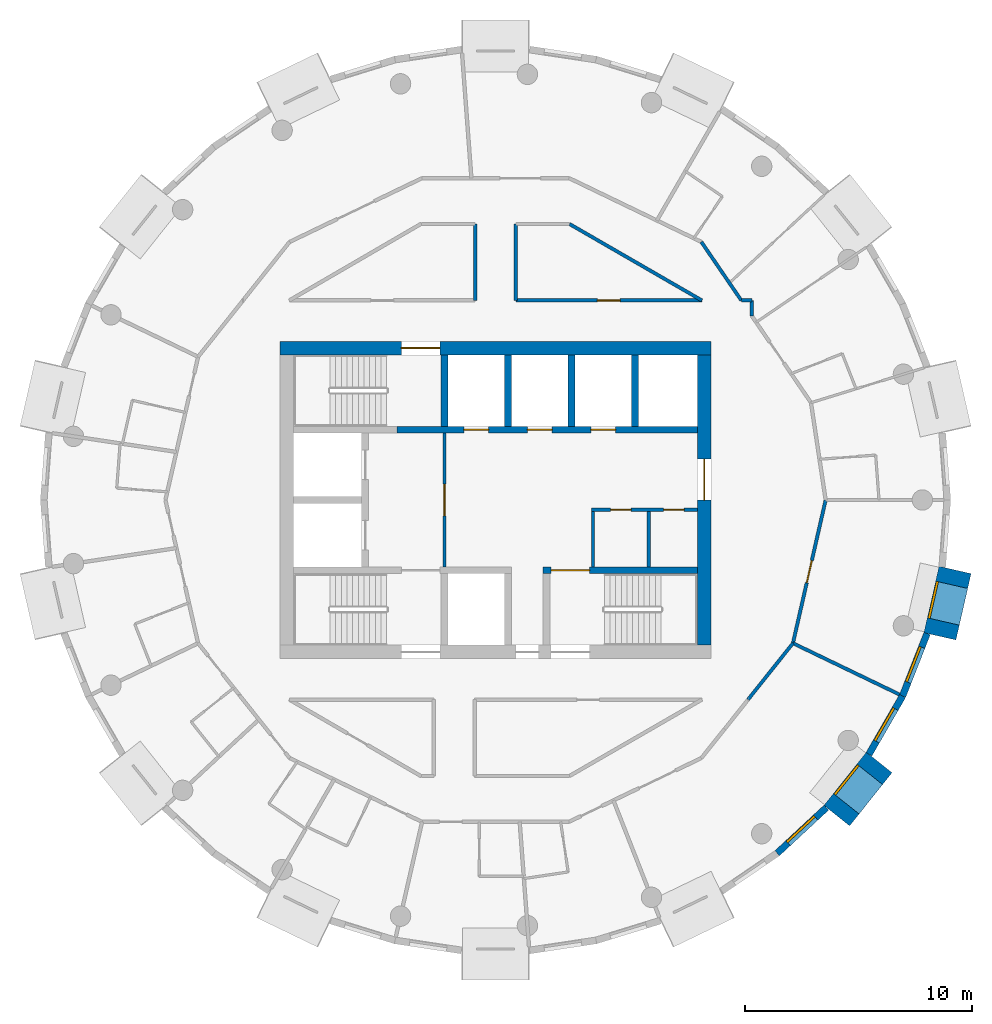
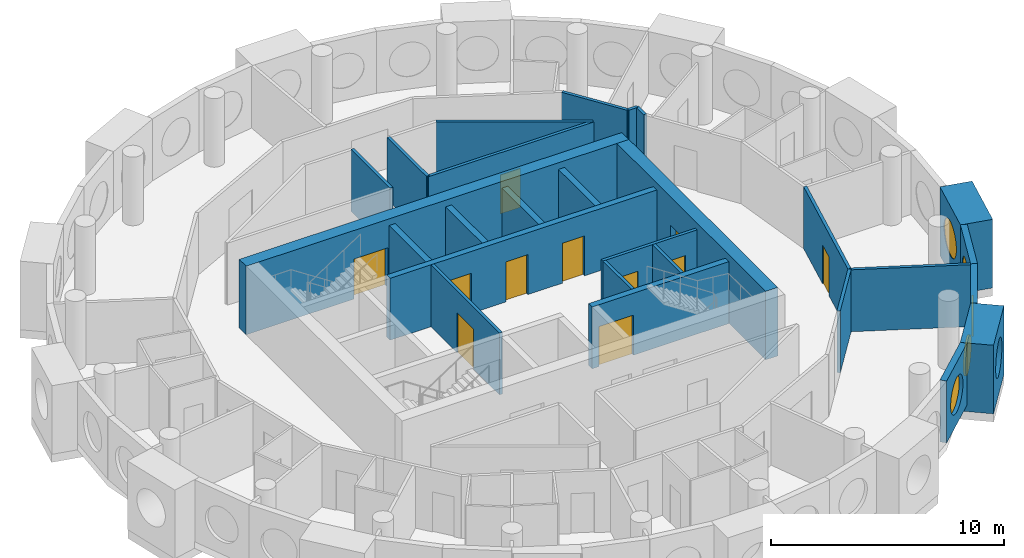
# One storey, part 8 of 12: 27 walls, 11 doors, 5 windows, 16 openings.
"""IFC4 building model written with IfcOpenShell, lengths in metres."""

from ifc_helpers import new_model, si_unit, direction, frame, frame_2d, origin, origin_2d, place, context, subcontext, project, spatial, rectangle, circle, extrude, material, layer, layer_set, type_object, element, fill, save


model = new_model("IFC4")

# Units and contexts
model_context = context("Model", 3, precision=1e-05, world=origin(), true_north=direction((0.0, 1.0)))
body_context = subcontext(model_context, "Body", "Model", "MODEL_VIEW")
ifc_project = project(units=[si_unit("LENGTHUNIT", "METRE"), si_unit("AREAUNIT", "SQUARE_METRE"), si_unit("VOLUMEUNIT", "CUBIC_METRE"), si_unit("PLANEANGLEUNIT", "RADIAN"), si_unit("MASSUNIT", "GRAM", prefix="KILO")], contexts=[model_context])

# Site, building, storey
site_placement = place(None, origin())
site = spatial("IfcSite", under=ifc_project, at=site_placement, CompositionType="ELEMENT")
building_placement = place(site_placement, origin())
building = spatial("IfcBuilding", under=site, at=building_placement, Name="Tracery Tower", CompositionType="ELEMENT")
storey_placement = place(building_placement, frame((0.0, 0.0, 283.800048828125)))
storey = spatial("IfcBuildingStorey", under=building, at=storey_placement, Name="L73", CompositionType="ELEMENT", Elevation=283.800048828125)

# Wall, opening, door
ifc_material_1 = material(Name="Plasterboard on steel studs", Category="steel")
ifc_layer_1 = layer(ifc_material_1, 0.14990234375)
ifc_layer_set_1 = layer_set([ifc_layer_1], Name="Core lobby partition 150")
wall_type_1 = type_object("IfcWallType", Name="Core lobby partition 150", PredefinedType="SOLIDWALL", material=ifc_layer_set_1)
wall_1_placement = place(storey_placement, frame((-2.25, -2.949951171875, 0.0), z_axis=(0.0, 0.0, 1.0), x_axis=(0.0, 1.0, 0.0)))
wall_1 = element("IfcWall", 1, at=wall_1_placement, inside=storey, type_object=wall_type_1, Name="L73 FF lobby E", PredefinedType="SOLIDWALL", context=body_context, shape_type="SweptSolid", body=[
    extrude(rectangle(XDim=5.89990234375, YDim=0.14990234375, at=frame_2d((2.949951171875, 0.0))), origin(), (0.0, 0.0, 1.0), 3.25),
])
opening_1_placement = place(wall_1_placement, frame((2.25, 0.0, 0.0)))
opening_1 = element("IfcOpeningElement", 2, at=opening_1_placement, cuts=wall_1, Name="Opening KD8", PredefinedType="OPENING", context=body_context, shape_type="SweptSolid", body=[
    extrude(rectangle(XDim=1.39990234375, YDim=2.10009765625, at=frame_2d((0.699951171875, 1.050048828125))), frame((0.0, 0.074951171875, 0.0), z_axis=(0.0, -1.0, 0.0), x_axis=(1.0, 0.0, 0.0)), (0.0, 0.0, 1.0), 0.14990234375),
])
ifc_material_2 = material(Name="Steel fire door", Category="steel")
door_type_1 = type_object("IfcDoorType", Name="Core lobby door 1400 double", OperationType="NOTDEFINED", PredefinedType="DOOR", material=ifc_material_2)
door_1_placement = place(opening_1_placement, origin())
door_1 = element("IfcDoor", 3, at=door_1_placement, inside=storey, type_object=door_type_1, Name="Fire-fighting lobby door", OperationType="DOUBLE_DOOR_SINGLE_SWING", OverallHeight=2.10009765625, OverallWidth=1.39990234375, PredefinedType="DOOR", context=body_context, shape_type="SweptSolid", body=[
    extrude(rectangle(XDim=1.39990234375, YDim=2.10009765625, at=frame_2d((0.699951171875, 1.050048828125))), frame((0.0, 0.02490234375, 0.0), z_axis=(0.0, -1.0, 0.0), x_axis=(1.0, 0.0, 0.0)), (0.0, 0.0, 1.0), 0.050048828125),
])
fill(opening_1, door_1)

# Wall
ifc_material_3 = material(Name="Plasterboard on steel studs", Category="steel")
ifc_layer_2 = layer(ifc_material_3, 0.14990234375)
ifc_layer_set_2 = layer_set([ifc_layer_2], Name="Core room partition 150")
wall_type_2 = type_object("IfcWallType", Name="Core room partition 150", PredefinedType="SOLIDWALL", material=ifc_layer_set_2)
wall_2_placement = place(storey_placement, frame((4.300048828125, -2.949951171875, 0.0), z_axis=(0.0, 0.0, 1.0), x_axis=(0.0, 1.0, 0.0)))
element("IfcWall", 4, at=wall_2_placement, inside=storey, type_object=wall_type_2, Name="L73 slot W", PredefinedType="SOLIDWALL", context=body_context, shape_type="SweptSolid", body=[
    extrude(rectangle(XDim=2.449951171875, YDim=0.14990234375, at=frame_2d((1.22509765625, 0.0))), origin(), (0.0, 0.0, 1.0), 3.25),
])

# Wall, openings, doors
wall_3_placement = place(storey_placement, frame((4.22509765625, -0.425048828125, 0.0), z_axis=(0.0, 0.0, 1.0), x_axis=(1.0, 0.0, 0.0)))
wall_3 = element("IfcWall", 5, at=wall_3_placement, inside=storey, type_object=wall_type_2, Name="L73 slot N", PredefinedType="SOLIDWALL", context=body_context, shape_type="SweptSolid", body=[
    extrude(rectangle(XDim=4.6748046875, YDim=0.14990234375, at=frame_2d((2.33740234375, 0.0))), origin(), (0.0, 0.0, 1.0), 3.25),
])
opening_2_placement = place(wall_3_placement, frame((0.85009765625, 0.0, 0.0)))
opening_2 = element("IfcOpeningElement", 6, at=opening_2_placement, cuts=wall_3, Name="Opening KD22", PredefinedType="OPENING", context=body_context, shape_type="SweptSolid", body=[
    extrude(rectangle(XDim=0.89990234375, YDim=2.10009765625, at=frame_2d((0.449951171875, 1.050048828125))), frame((0.0, 0.074951171875, 0.0), z_axis=(0.0, -1.0, 0.0), x_axis=(1.0, 0.0, 0.0)), (0.0, 0.0, 1.0), 0.14990234375),
])
opening_3_placement = place(wall_3_placement, frame((3.1875, 0.0, 0.0)))
opening_3 = element("IfcOpeningElement", 7, at=opening_3_placement, cuts=wall_3, Name="Opening KD26", PredefinedType="OPENING", context=body_context, shape_type="SweptSolid", body=[
    extrude(rectangle(XDim=0.89990234375, YDim=2.10009765625, at=frame_2d((0.449951171875, 1.050048828125))), frame((0.0, 0.074951171875, 0.0), z_axis=(0.0, -1.0, 0.0), x_axis=(1.0, 0.0, 0.0)), (0.0, 0.0, 1.0), 0.14990234375),
])
ifc_material_4 = material(Name="Timber door leaf", Category="wood")
door_type_2 = type_object("IfcDoorType", Name="Core WC door 900", OperationType="NOTDEFINED", PredefinedType="DOOR", material=ifc_material_4)
door_2_placement = place(opening_2_placement, origin())
door_2 = element("IfcDoor", 8, at=door_2_placement, inside=storey, type_object=door_type_2, Name="Core door", OperationType="SINGLE_SWING_RIGHT", OverallHeight=2.10009765625, OverallWidth=0.89990234375, PredefinedType="DOOR", context=body_context, shape_type="SweptSolid", body=[
    extrude(rectangle(XDim=0.89990234375, YDim=2.10009765625, at=frame_2d((0.449951171875, 1.050048828125))), frame((0.0, 0.02490234375, 0.0), z_axis=(0.0, -1.0, 0.0), x_axis=(1.0, 0.0, 0.0)), (0.0, 0.0, 1.0), 0.050048828125),
])
fill(opening_2, door_2)
ifc_material_5 = material(Name="Timber door leaf", Category="wood")
door_type_3 = type_object("IfcDoorType", Name="Core store door 900", OperationType="NOTDEFINED", PredefinedType="DOOR", material=ifc_material_5)
door_3_placement = place(opening_3_placement, origin())
door_3 = element("IfcDoor", 9, at=door_3_placement, inside=storey, type_object=door_type_3, Name="Core door", OperationType="SINGLE_SWING_LEFT", OverallHeight=2.10009765625, OverallWidth=0.89990234375, PredefinedType="DOOR", context=body_context, shape_type="SweptSolid", body=[
    extrude(rectangle(XDim=0.89990234375, YDim=2.10009765625, at=frame_2d((0.449951171875, 1.050048828125))), frame((0.0, 0.02490234375, 0.0), z_axis=(0.0, -1.0, 0.0), x_axis=(1.0, 0.0, 0.0)), (0.0, 0.0, 1.0), 0.050048828125),
])
fill(opening_3, door_3)

# Wall
wall_4_placement = place(storey_placement, frame((6.75, -2.949951171875, 0.0), z_axis=(0.0, 0.0, 1.0), x_axis=(0.0, 1.0, 0.0)))
element("IfcWall", 10, at=wall_4_placement, inside=storey, type_object=wall_type_2, Name="L73 slot sep 1", PredefinedType="SOLIDWALL", context=body_context, shape_type="SweptSolid", body=[
    extrude(rectangle(XDim=2.449951171875, YDim=0.14990234375, at=frame_2d((1.22509765625, 0.0))), origin(), (0.0, 0.0, 1.0), 3.25),
])

# Wall, opening, door
ifc_material_6 = material(Name="Concrete C40/50", Category="concrete")
ifc_layer_3 = layer(ifc_material_6, 0.60009765625)
ifc_layer_set_3 = layer_set([ifc_layer_3], Name="Core wall 600 C40")
wall_type_3 = type_object("IfcWallType", Name="Core wall 600 C40", PredefinedType="SOLIDWALL", material=ifc_layer_set_3)
wall_5_placement = place(storey_placement, frame((-9.5, 6.699951171875, 0.0), z_axis=(0.0, 0.0, 1.0), x_axis=(1.0, 0.0, 0.0)))
wall_5 = element("IfcWall", 11, at=wall_5_placement, inside=storey, type_object=wall_type_3, Name="L73 outer N", PredefinedType="SOLIDWALL", context=body_context, shape_type="SweptSolid", body=[
    extrude(rectangle(XDim=19.0, YDim=0.60009765625, at=frame_2d((9.5, 0.0))), origin(), (0.0, 0.0, 1.0), 3.599853515625),
])
opening_4_placement = place(wall_5_placement, frame((5.35009765625, 0.0, 0.0)))
opening_4 = element("IfcOpeningElement", 12, at=opening_4_placement, cuts=wall_5, Name="Opening KD3", PredefinedType="OPENING", context=body_context, shape_type="SweptSolid", body=[
    extrude(rectangle(XDim=1.699951171875, YDim=2.10009765625, at=frame_2d((0.85009765625, 1.050048828125))), frame((0.0, 0.300048828125, 0.0), z_axis=(0.0, -1.0, 0.0), x_axis=(1.0, 0.0, 0.0)), (0.0, 0.0, 1.0), 0.60009765625),
])
ifc_material_7 = material(Name="Steel fire door", Category="steel")
door_type_4 = type_object("IfcDoorType", Name="Core stair door 1700 double", OperationType="NOTDEFINED", PredefinedType="DOOR", material=ifc_material_7)
door_4_placement = place(opening_4_placement, origin())
door_4 = element("IfcDoor", 13, at=door_4_placement, inside=storey, type_object=door_type_4, Name="Stair door ST3 exit", OperationType="DOUBLE_DOOR_SINGLE_SWING", OverallHeight=2.10009765625, OverallWidth=1.699951171875, PredefinedType="DOOR", context=body_context, shape_type="SweptSolid", body=[
    extrude(rectangle(XDim=1.699951171875, YDim=2.10009765625, at=frame_2d((0.85009765625, 1.050048828125))), frame((0.0, 0.02490234375, 0.0), z_axis=(0.0, -1.0, 0.0), x_axis=(1.0, 0.0, 0.0)), (0.0, 0.0, 1.0), 0.050048828125),
])
fill(opening_4, door_4)

wall_6_placement = place(storey_placement, frame((9.199951171875, -6.39990234375, 0.0), z_axis=(0.0, 0.0, 1.0), x_axis=(0.0, 1.0, 0.0)))
wall_6 = element("IfcWall", 14, at=wall_6_placement, inside=storey, type_object=wall_type_3, Name="L73 outer E", PredefinedType="SOLIDWALL", context=body_context, shape_type="SweptSolid", body=[
    extrude(rectangle(XDim=12.7998046875, YDim=0.60009765625, at=frame_2d((6.39990234375, 0.0))), origin(), (0.0, 0.0, 1.0), 3.599853515625),
])
opening_5_placement = place(wall_6_placement, frame((6.39990234375, 0.0, 0.0)))
opening_5 = element("IfcOpeningElement", 15, at=opening_5_placement, cuts=wall_6, Name="Opening KD13", PredefinedType="OPENING", context=body_context, shape_type="SweptSolid", body=[
    extrude(rectangle(XDim=1.800048828125, YDim=2.10009765625, at=frame_2d((0.89990234375, 1.050048828125))), frame((0.0, 0.300048828125, 0.0), z_axis=(0.0, -1.0, 0.0), x_axis=(1.0, 0.0, 0.0)), (0.0, 0.0, 1.0), 0.60009765625),
])
ifc_material_8 = material(Name="Steel fire door", Category="steel")
door_type_5 = type_object("IfcDoorType", Name="Core exit door 1800 double", OperationType="NOTDEFINED", PredefinedType="DOOR", material=ifc_material_8)
door_5_placement = place(opening_5_placement, origin())
door_5 = element("IfcDoor", 16, at=door_5_placement, inside=storey, type_object=door_type_5, Name="Core exit door", OperationType="DOUBLE_DOOR_SINGLE_SWING", OverallHeight=2.10009765625, OverallWidth=1.800048828125, PredefinedType="DOOR", context=body_context, shape_type="SweptSolid", body=[
    extrude(rectangle(XDim=1.800048828125, YDim=2.10009765625, at=frame_2d((0.89990234375, 1.050048828125))), frame((0.0, 0.02490234375, 0.0), z_axis=(0.0, -1.0, 0.0), x_axis=(1.0, 0.0, 0.0)), (0.0, 0.0, 1.0), 0.050048828125),
])
fill(opening_5, door_5)

# Wall, opening, window
ifc_material_9 = material(Name="Precast concrete C50/60", Category="concrete")
ifc_layer_4 = layer(ifc_material_9, 1.449951171875)
ifc_layer_set_4 = layer_set([ifc_layer_4], Name="Deep-set bay unit 3000 x 3600, slab edge 350")
wall_type_4 = type_object("IfcWallType", Name="Deep-set bay unit 3000 x 3600, slab edge 350", PredefinedType="ELEMENTEDWALL", material=ifc_layer_set_4)
wall_7_placement = place(storey_placement, frame((15.046142578125, -13.91748046875, -0.35009765625), z_axis=(0.0, 0.0, 1.0), x_axis=(0.623523286312, 0.781804778335, 0.0)))
wall_7 = element("IfcWall", 17, at=wall_7_placement, inside=storey, type_object=wall_type_4, Name="Deep-set bay unit 38 at L73", PredefinedType="ELEMENTEDWALL", context=body_context, shape_type="SweptSolid", body=[
    extrude(rectangle(XDim=3.0, YDim=1.449951171875, at=frame_2d((1.5, 0.0))), origin(), (0.0, 0.0, 1.0), 3.60009765625),
])
opening_6_placement = place(wall_7_placement, frame((1.5, 0.0, 1.89990234375)))
opening_6 = element("IfcOpeningElement", 18, at=opening_6_placement, cuts=wall_7, Name="Opening WN1", PredefinedType="OPENING", context=body_context, shape_type="SweptSolid", body=[
    extrude(circle(Radius=0.9000244140625, at=origin_2d()), frame((0.0, 0.73486328125, 0.0), z_axis=(0.0, -1.0, 0.0), x_axis=(1.0, 0.0, 0.0)), (0.0, 0.0, 1.0), 1.469970703125),
])
ifc_material_10 = material(Name="Aluminium frame with tinted double glazing", Category="aluminium")
window_type = type_object("IfcWindowType", Name="Round window 1800", PartitioningType="SINGLE_PANEL", PredefinedType="WINDOW", material=ifc_material_10)
window_1_placement = place(opening_6_placement, origin())
window_1 = element("IfcWindow", 19, at=window_1_placement, inside=storey, type_object=window_type, Name="Round window 38 at L73", OverallHeight=1.800048828125, OverallWidth=1.800048828125, PartitioningType="SINGLE_PANEL", PredefinedType="WINDOW", context=body_context, shape_type="SweptSolid", body=[
    extrude(circle(Radius=0.9000244140625, at=origin_2d()), frame((0.0, 0.69482421875, 0.0), z_axis=(0.0, -1.0, 0.0), x_axis=(1.0, 0.0, 0.0)), (0.0, 0.0, 1.0), 0.10009765625),
])
fill(opening_6, window_1)

wall_8_placement = place(storey_placement, frame((19.5947265625, -6.010986328125, -0.35009765625), z_axis=(0.0, 0.0, 1.0), x_axis=(0.222570682856, 0.974916555985, 0.0)))
wall_8 = element("IfcWall", 20, at=wall_8_placement, inside=storey, type_object=wall_type_4, Name="Deep-set bay unit 41 at L73", PredefinedType="ELEMENTEDWALL", context=body_context, shape_type="SweptSolid", body=[
    extrude(rectangle(XDim=3.0, YDim=1.449951171875, at=frame_2d((1.5, 0.0))), origin(), (0.0, 0.0, 1.0), 3.60009765625),
])
opening_7_placement = place(wall_8_placement, frame((1.5, 0.0, 1.89990234375)))
opening_7 = element("IfcOpeningElement", 21, at=opening_7_placement, cuts=wall_8, Name="Opening WN1", PredefinedType="OPENING", context=body_context, shape_type="SweptSolid", body=[
    extrude(circle(Radius=0.9000244140625, at=origin_2d()), frame((0.0, 0.73486328125, 0.0), z_axis=(0.0, -1.0, 0.0), x_axis=(1.0, 0.0, 0.0)), (0.0, 0.0, 1.0), 1.469970703125),
])
window_2_placement = place(opening_7_placement, origin())
window_2 = element("IfcWindow", 22, at=window_2_placement, inside=storey, type_object=window_type, Name="Round window 41 at L73", OverallHeight=1.800048828125, OverallWidth=1.800048828125, PartitioningType="SINGLE_PANEL", PredefinedType="WINDOW", context=body_context, shape_type="SweptSolid", body=[
    extrude(circle(Radius=0.9000244140625, at=origin_2d()), frame((0.0, 0.69482421875, 0.0), z_axis=(0.0, -1.0, 0.0), x_axis=(1.0, 0.0, 0.0)), (0.0, 0.0, 1.0), 0.10009765625),
])
fill(opening_7, window_2)

ifc_material_11 = material(Name="Precast concrete C50/60", Category="concrete")
ifc_layer_5 = layer(ifc_material_11, 0.300048828125)
ifc_layer_set_5 = layer_set([ifc_layer_5], Name="Facade panel 3000 x 3250")
wall_type_5 = type_object("IfcWallType", Name="Facade panel 3000 x 3250", PredefinedType="SOLIDWALL", material=ifc_layer_set_5)
wall_9_placement = place(storey_placement, frame((12.421142578125, -15.575439453125, 0.0), z_axis=(0.0, 0.0, 1.0), x_axis=(0.733028283666, 0.680198158882, 0.0)))
wall_9 = element("IfcWall", 23, at=wall_9_placement, inside=storey, type_object=wall_type_5, Name="Facade panel 37 at L73", PredefinedType="SOLIDWALL", context=body_context, shape_type="SweptSolid", body=[
    extrude(rectangle(XDim=2.962158203125, YDim=0.300048828125, at=frame_2d((1.48095703125, 0.0))), origin(), (0.0, 0.0, 1.0), 3.25),
])
opening_8_placement = place(wall_9_placement, frame((1.48095703125, 0.0, 1.5498046875)))
opening_8 = element("IfcOpeningElement", 24, at=opening_8_placement, cuts=wall_9, Name="Opening WN1", PredefinedType="OPENING", context=body_context, shape_type="SweptSolid", body=[
    extrude(circle(Radius=0.9000244140625, at=origin_2d()), frame((0.0, 0.159912109375, 0.0), z_axis=(0.0, -1.0, 0.0), x_axis=(1.0, 0.0, 0.0)), (0.0, 0.0, 1.0), 0.320068359375),
])
window_3_placement = place(opening_8_placement, origin())
window_3 = element("IfcWindow", 25, at=window_3_placement, inside=storey, type_object=window_type, Name="Round window 37 at L73", OverallHeight=1.800048828125, OverallWidth=1.800048828125, PartitioningType="SINGLE_PANEL", PredefinedType="WINDOW", context=body_context, shape_type="SweptSolid", body=[
    extrude(circle(Radius=0.9000244140625, at=origin_2d()), frame((0.0, 0.1201171875, 0.0), z_axis=(0.0, -1.0, 0.0), x_axis=(1.0, 0.0, 0.0)), (0.0, 0.0, 1.0), 0.10009765625),
])
fill(opening_8, window_3)

wall_10_placement = place(storey_placement, frame((16.4677734375, -11.209228515625, 0.0), z_axis=(0.0, 0.0, 1.0), x_axis=(0.500012570604, 0.866018146021, 0.0)))
wall_10 = element("IfcWall", 26, at=wall_10_placement, inside=storey, type_object=wall_type_5, Name="Facade panel 39 at L73", PredefinedType="SOLIDWALL", context=body_context, shape_type="SweptSolid", body=[
    extrude(rectangle(XDim=2.96240234375, YDim=0.300048828125, at=frame_2d((1.481201171875, 0.0))), origin(), (0.0, 0.0, 1.0), 3.25),
])
opening_9_placement = place(wall_10_placement, frame((1.48095703125, 0.0, 1.5498046875)))
opening_9 = element("IfcOpeningElement", 27, at=opening_9_placement, cuts=wall_10, Name="Opening WN1", PredefinedType="OPENING", context=body_context, shape_type="SweptSolid", body=[
    extrude(circle(Radius=0.9000244140625, at=origin_2d()), frame((0.0, 0.159912109375, 0.0), z_axis=(0.0, -1.0, 0.0), x_axis=(1.0, 0.0, 0.0)), (0.0, 0.0, 1.0), 0.320068359375),
])
window_4_placement = place(opening_9_placement, origin())
window_4 = element("IfcWindow", 28, at=window_4_placement, inside=storey, type_object=window_type, Name="Round window 39 at L73", OverallHeight=1.800048828125, OverallWidth=1.800048828125, PartitioningType="SINGLE_PANEL", PredefinedType="WINDOW", context=body_context, shape_type="SweptSolid", body=[
    extrude(circle(Radius=0.9000244140625, at=origin_2d()), frame((0.0, 0.1201171875, 0.0), z_axis=(0.0, -1.0, 0.0), x_axis=(1.0, 0.0, 0.0)), (0.0, 0.0, 1.0), 0.10009765625),
])
fill(opening_9, window_4)

wall_11_placement = place(storey_placement, frame((17.948974609375, -8.643798828125, 0.0), z_axis=(0.0, 0.0, 1.0), x_axis=(0.365343821297, 0.930872650925, 0.0)))
wall_11 = element("IfcWall", 29, at=wall_11_placement, inside=storey, type_object=wall_type_5, Name="Facade panel 40 at L73", PredefinedType="SOLIDWALL", context=body_context, shape_type="SweptSolid", body=[
    extrude(rectangle(XDim=2.96240234375, YDim=0.300048828125, at=frame_2d((1.481201171875, 0.0))), origin(), (0.0, 0.0, 1.0), 3.25),
])
opening_10_placement = place(wall_11_placement, frame((1.48095703125, 0.0, 1.5498046875)))
opening_10 = element("IfcOpeningElement", 30, at=opening_10_placement, cuts=wall_11, Name="Opening WN1", PredefinedType="OPENING", context=body_context, shape_type="SweptSolid", body=[
    extrude(circle(Radius=0.9000244140625, at=origin_2d()), frame((0.0, 0.159912109375, 0.0), z_axis=(0.0, -1.0, 0.0), x_axis=(1.0, 0.0, 0.0)), (0.0, 0.0, 1.0), 0.320068359375),
])
window_5_placement = place(opening_10_placement, origin())
window_5 = element("IfcWindow", 31, at=window_5_placement, inside=storey, type_object=window_type, Name="Round window 40 at L73", OverallHeight=1.800048828125, OverallWidth=1.800048828125, PartitioningType="SINGLE_PANEL", PredefinedType="WINDOW", context=body_context, shape_type="SweptSolid", body=[
    extrude(circle(Radius=0.9000244140625, at=origin_2d()), frame((0.0, 0.1201171875, 0.0), z_axis=(0.0, -1.0, 0.0), x_axis=(1.0, 0.0, 0.0)), (0.0, 0.0, 1.0), 0.10009765625),
])
fill(opening_10, window_5)

# Wall
ifc_material_12 = material(Name="Plasterboard on steel studs", Category="steel")
ifc_layer_6 = layer(ifc_material_12, 0.14990234375)
ifc_layer_set_6 = layer_set([ifc_layer_6], Name="Partition 150 acoustic unit wall")
wall_type_6 = type_object("IfcWallType", Name="Partition 150 acoustic unit wall", PredefinedType="PARTITIONING", material=ifc_layer_set_6)
wall_12_placement = place(storey_placement, frame((13.114990234375, -6.31591796875, 0.0), z_axis=(0.0, 0.0, 1.0), x_axis=(0.901004381064, -0.433809987557, 0.0)))
element("IfcWall", 32, at=wall_12_placement, inside=storey, type_object=wall_type_6, Name="Unit wall RC6-087", PredefinedType="PARTITIONING", context=body_context, shape_type="SweptSolid", body=[
    extrude(rectangle(XDim=5.214111328125, YDim=0.14990234375, at=frame_2d((2.60693359375, 0.0))), origin(), (0.0, 0.0, 1.0), 3.25),
])

# Wall, opening, door
ifc_material_13 = material(Name="Plasterboard on steel studs", Category="steel")
ifc_layer_7 = layer(ifc_material_13, 0.14990234375)
ifc_layer_set_7 = layer_set([ifc_layer_7], Name="Partition 150 corridor wall")
wall_type_7 = type_object("IfcWallType", Name="Partition 150 corridor wall", PredefinedType="PARTITIONING", material=ifc_layer_set_7)
wall_13_placement = place(storey_placement, frame((0.89599609375, 8.800048828125, 0.0), z_axis=(0.0, 0.0, 1.0), x_axis=(1.0, 0.0, 0.0)))
wall_13 = element("IfcWall", 33, at=wall_13_placement, inside=storey, type_object=wall_type_7, Name="Corridor wall RC6-003", PredefinedType="PARTITIONING", context=body_context, shape_type="SweptSolid", body=[
    extrude(rectangle(XDim=8.20458984375, YDim=0.14990234375, at=frame_2d((4.102294921875, 0.0))), origin(), (0.0, 0.0, 1.0), 3.25),
])
opening_11_placement = place(wall_13_placement, frame((3.597900390625, 0.0, 0.0)))
opening_11 = element("IfcOpeningElement", 34, at=opening_11_placement, cuts=wall_13, Name="Opening RC6-02", PredefinedType="OPENING", context=body_context, shape_type="SweptSolid", body=[
    extrude(rectangle(XDim=1.0, YDim=2.0400390625, at=frame_2d((0.5, 1.02001953125))), frame((0.0, 0.074951171875, 0.0), z_axis=(0.0, -1.0, 0.0), x_axis=(1.0, 0.0, 0.0)), (0.0, 0.0, 1.0), 0.14990234375),
])
ifc_material_14 = material(Name="Timber door leaf", Category="wood")
door_type_6 = type_object("IfcDoorType", Name="Door communal room 1000", OperationType="NOTDEFINED", PredefinedType="DOOR", material=ifc_material_14)
door_6_placement = place(opening_11_placement, origin())
door_6 = element("IfcDoor", 35, at=door_6_placement, inside=storey, type_object=door_type_6, Name="Communal room door RC6-02", OperationType="SINGLE_SWING_RIGHT", OverallHeight=2.0400390625, OverallWidth=1.0, PredefinedType="DOOR", context=body_context, shape_type="SweptSolid", body=[
    extrude(rectangle(XDim=1.0, YDim=2.0400390625, at=frame_2d((0.5, 1.02001953125))), frame((0.0, 0.02490234375, 0.0), z_axis=(0.0, -1.0, 0.0), x_axis=(1.0, 0.0, 0.0)), (0.0, 0.0, 1.0), 0.050048828125),
])
fill(opening_11, door_6)

# Walls
wall_14_placement = place(storey_placement, frame((9.075439453125, 11.380615234375, 0.0), z_axis=(0.0, 0.0, 1.0), x_axis=(0.564277533473, -0.825585165333, 0.0)))
element("IfcWall", 36, at=wall_14_placement, inside=storey, type_object=wall_type_7, Name="Corridor wall RC6-005", PredefinedType="PARTITIONING", context=body_context, shape_type="SweptSolid", body=[
    extrude(rectangle(XDim=3.123291015625, YDim=0.14990234375, at=frame_2d((1.5615234375, 0.0))), origin(), (0.0, 0.0, 1.0), 3.25),
])
wall_15_placement = place(storey_placement, frame((10.839111328125, 8.800048828125, 0.0), z_axis=(0.0, 0.0, 1.0), x_axis=(1.0, 0.0, 0.0)))
element("IfcWall", 37, at=wall_15_placement, inside=storey, type_object=wall_type_7, Name="Corridor wall RC6-006", PredefinedType="PARTITIONING", context=body_context, shape_type="SweptSolid", body=[
    extrude(rectangle(XDim=0.4609375, YDim=0.14990234375, at=frame_2d((0.23046875, 0.0))), origin(), (0.0, 0.0, 1.0), 3.25),
])
wall_16_placement = place(storey_placement, frame((11.300048828125, 8.113037109375, 0.0), z_axis=(0.0, 0.0, 1.0), x_axis=(0.0, 1.0, 0.0)))
element("IfcWall", 38, at=wall_16_placement, inside=storey, type_object=wall_type_7, Name="Corridor wall RC6-007", PredefinedType="PARTITIONING", context=body_context, shape_type="SweptSolid", body=[
    extrude(rectangle(XDim=0.68701171875, YDim=0.14990234375, at=frame_2d((0.343505859375, 0.0))), origin(), (0.0, 0.0, 1.0), 3.25),
])
wall_17_placement = place(storey_placement, frame((11.134033203125, -8.800048828125, 0.0), z_axis=(0.0, 0.0, 1.0), x_axis=(0.623476099415, 0.781842409606, 0.0)))
element("IfcWall", 39, at=wall_17_placement, inside=storey, type_object=wall_type_7, Name="Corridor wall RC6-023", PredefinedType="PARTITIONING", context=body_context, shape_type="SweptSolid", body=[
    extrude(rectangle(XDim=3.17724609375, YDim=0.14990234375, at=frame_2d((1.588623046875, 0.0))), origin(), (0.0, 0.0, 1.0), 3.25),
])

# Wall, opening, door
wall_18_placement = place(storey_placement, frame((13.114990234375, -6.31591796875, 0.0), z_axis=(0.0, 0.0, 1.0), x_axis=(0.222568978642, 0.97491694505, 0.0)))
wall_18 = element("IfcWall", 40, at=wall_18_placement, inside=storey, type_object=wall_type_7, Name="Corridor wall RC6-024", PredefinedType="PARTITIONING", context=body_context, shape_type="SweptSolid", body=[
    extrude(rectangle(XDim=6.478515625, YDim=0.14990234375, at=frame_2d((3.2392578125, 0.0))), origin(), (0.0, 0.0, 1.0), 3.25),
])
opening_12_placement = place(wall_18_placement, frame((2.739501953125, 0.0, 0.0)))
opening_12 = element("IfcOpeningElement", 41, at=opening_12_placement, cuts=wall_18, Name="Opening RC6-31", PredefinedType="OPENING", context=body_context, shape_type="SweptSolid", body=[
    extrude(rectangle(XDim=1.0, YDim=2.0400390625, at=frame_2d((0.5, 1.02001953125))), frame((0.0, 0.074951171875, 0.0), z_axis=(0.0, -1.0, 0.0), x_axis=(1.0, 0.0, 0.0)), (0.0, 0.0, 1.0), 0.14990234375),
])
door_7_placement = place(opening_12_placement, origin())
door_7 = element("IfcDoor", 42, at=door_7_placement, inside=storey, type_object=door_type_6, Name="Communal room door RC6-31", OperationType="SINGLE_SWING_LEFT", OverallHeight=2.0400390625, OverallWidth=1.0, PredefinedType="DOOR", context=body_context, shape_type="SweptSolid", body=[
    extrude(rectangle(XDim=1.0, YDim=2.0400390625, at=frame_2d((0.5, 1.02001953125))), frame((0.0, 0.02490234375, 0.0), z_axis=(0.0, -1.0, 0.0), x_axis=(1.0, 0.0, 0.0)), (0.0, 0.0, 1.0), 0.050048828125),
])
fill(opening_12, door_7)

# Walls
wall_19_placement = place(storey_placement, frame((-0.89990234375, 8.800048828125, 0.0), z_axis=(0.0, 0.0, 1.0), x_axis=(0.0, 1.0, 0.0)))
element("IfcWall", 43, at=wall_19_placement, inside=storey, type_object=wall_type_7, Name="Corridor wall RC6-025", PredefinedType="PARTITIONING", context=body_context, shape_type="SweptSolid", body=[
    extrude(rectangle(XDim=3.370849609375, YDim=0.14990234375, at=frame_2d((1.685546875, 0.0))), origin(), (0.0, 0.0, 1.0), 3.25),
])
wall_20_placement = place(storey_placement, frame((3.260986328125, 12.1708984375, 0.0), z_axis=(0.0, 0.0, 1.0), x_axis=(0.866066809554, -0.499928276245, 0.0)))
element("IfcWall", 44, at=wall_20_placement, inside=storey, type_object=wall_type_7, Name="Corridor wall RC6-027", PredefinedType="PARTITIONING", context=body_context, shape_type="SweptSolid", body=[
    extrude(rectangle(XDim=6.74267578125, YDim=0.14990234375, at=frame_2d((3.371337890625, 0.0))), origin(), (0.0, 0.0, 1.0), 3.25),
])
wall_21_placement = place(storey_placement, frame((0.89990234375, 8.800048828125, 0.0), z_axis=(0.0, 0.0, 1.0), x_axis=(0.0, 1.0, 0.0)))
element("IfcWall", 45, at=wall_21_placement, inside=storey, type_object=wall_type_7, Name="Corridor wall RC6-029", PredefinedType="PARTITIONING", context=body_context, shape_type="SweptSolid", body=[
    extrude(rectangle(XDim=3.370849609375, YDim=0.14990234375, at=frame_2d((1.685546875, 0.0))), origin(), (0.0, 0.0, 1.0), 3.25),
])
ifc_material_15 = material(Name="Concrete C40/50", Category="concrete")
ifc_layer_8 = layer(ifc_material_15, 0.300048828125)
ifc_layer_set_8 = layer_set([ifc_layer_8], Name="Shaft wall 300 C40")
wall_type_8 = type_object("IfcWallType", Name="Shaft wall 300 C40", PredefinedType="SOLIDWALL", material=ifc_layer_set_8)
for number, where, z_axis, x_axis, name in (
    (46, (0.550048828125, 3.25, 0.0), (0.0, 0.0, 1.0), (0.0, 1.0, 0.0), "L73 HR sep 1"),
    (47, (3.35009765625, 3.25, 0.0), (0.0, 0.0, 1.0), (0.0, 1.0, 0.0), "L73 HR sep 2"),
    (48, (6.14990234375, 3.25, 0.0), (0.0, 0.0, 1.0), (0.0, 1.0, 0.0), "L73 HR sep 3"),
):
    element("IfcWall", number, at=place(storey_placement, frame(where, z_axis=z_axis, x_axis=x_axis)), inside=storey, type_object=wall_type_8, Name=name, PredefinedType="SOLIDWALL", context=body_context, shape_type="SweptSolid", body=[
        extrude(rectangle(XDim=3.14990234375, YDim=0.300048828125, at=frame_2d((1.574951171875, 0.0))), origin(), (0.0, 0.0, 1.0), 3.25),
    ])

# Wall, opening, door
ifc_material_16 = material(Name="Concrete C40/50", Category="concrete")
ifc_layer_9 = layer(ifc_material_16, 0.300048828125)
ifc_layer_set_9 = layer_set([ifc_layer_9], Name="Stair wall 300 C40")
wall_type_9 = type_object("IfcWallType", Name="Stair wall 300 C40", PredefinedType="SOLIDWALL", material=ifc_layer_set_9)
wall_22_placement = place(storey_placement, frame((2.10009765625, -3.10009765625, 0.0), z_axis=(0.0, 0.0, 1.0), x_axis=(1.0, 0.0, 0.0)))
wall_22 = element("IfcWall", 49, at=wall_22_placement, inside=storey, type_object=wall_type_9, Name="L73 row S E", PredefinedType="SOLIDWALL", context=body_context, shape_type="SweptSolid", body=[
    extrude(rectangle(XDim=6.7998046875, YDim=0.300048828125, at=frame_2d((3.39990234375, 0.0))), origin(), (0.0, 0.0, 1.0), 3.25),
])
opening_13_placement = place(wall_22_placement, frame((0.35009765625, 0.0, 0.0)))
opening_13 = element("IfcOpeningElement", 50, at=opening_13_placement, cuts=wall_22, Name="Opening KD3", PredefinedType="OPENING", context=body_context, shape_type="SweptSolid", body=[
    extrude(rectangle(XDim=1.699951171875, YDim=2.10009765625, at=frame_2d((0.85009765625, 1.050048828125))), frame((0.0, 0.14990234375, 0.0), z_axis=(0.0, -1.0, 0.0), x_axis=(1.0, 0.0, 0.0)), (0.0, 0.0, 1.0), 0.300048828125),
])
door_8_placement = place(opening_13_placement, origin())
door_8 = element("IfcDoor", 51, at=door_8_placement, inside=storey, type_object=door_type_4, Name="Stair door ST2", OperationType="DOUBLE_DOOR_SINGLE_SWING", OverallHeight=2.10009765625, OverallWidth=1.699951171875, PredefinedType="DOOR", context=body_context, shape_type="SweptSolid", body=[
    extrude(rectangle(XDim=1.699951171875, YDim=2.10009765625, at=frame_2d((0.85009765625, 1.050048828125))), frame((0.0, 0.02490234375, 0.0), z_axis=(0.0, -1.0, 0.0), x_axis=(1.0, 0.0, 0.0)), (0.0, 0.0, 1.0), 0.050048828125),
])
fill(opening_13, door_8)

# Wall, openings, doors
wall_23_placement = place(storey_placement, frame((-4.35009765625, 3.10009765625, 0.0), z_axis=(0.0, 0.0, 1.0), x_axis=(1.0, 0.0, 0.0)))
wall_23 = element("IfcWall", 52, at=wall_23_placement, inside=storey, type_object=wall_type_9, Name="L73 row N", PredefinedType="SOLIDWALL", context=body_context, shape_type="SweptSolid", body=[
    extrude(rectangle(XDim=13.25, YDim=0.300048828125, at=frame_2d((6.625, 0.0))), origin(), (0.0, 0.0, 1.0), 3.25),
])
opening_14_placement = place(wall_23_placement, frame((2.949951171875, 0.0, 0.0)))
opening_14 = element("IfcOpeningElement", 53, at=opening_14_placement, cuts=wall_23, Name="Opening KD49", PredefinedType="OPENING", context=body_context, shape_type="SweptSolid", body=[
    extrude(rectangle(XDim=1.10009765625, YDim=2.10009765625, at=frame_2d((0.550048828125, 1.050048828125))), frame((0.0, 0.14990234375, 0.0), z_axis=(0.0, -1.0, 0.0), x_axis=(1.0, 0.0, 0.0)), (0.0, 0.0, 1.0), 0.300048828125),
])
opening_15_placement = place(wall_23_placement, frame((5.75, 0.0, 0.0)))
opening_15 = element("IfcOpeningElement", 54, at=opening_15_placement, cuts=wall_23, Name="Opening KD50", PredefinedType="OPENING", context=body_context, shape_type="SweptSolid", body=[
    extrude(rectangle(XDim=1.10009765625, YDim=2.10009765625, at=frame_2d((0.550048828125, 1.050048828125))), frame((0.0, 0.14990234375, 0.0), z_axis=(0.0, -1.0, 0.0), x_axis=(1.0, 0.0, 0.0)), (0.0, 0.0, 1.0), 0.300048828125),
])
opening_16_placement = place(wall_23_placement, frame((8.550048828125, 0.0, 0.0)))
opening_16 = element("IfcOpeningElement", 55, at=opening_16_placement, cuts=wall_23, Name="Opening KD49", PredefinedType="OPENING", context=body_context, shape_type="SweptSolid", body=[
    extrude(rectangle(XDim=1.10009765625, YDim=2.10009765625, at=frame_2d((0.550048828125, 1.050048828125))), frame((0.0, 0.14990234375, 0.0), z_axis=(0.0, -1.0, 0.0), x_axis=(1.0, 0.0, 0.0)), (0.0, 0.0, 1.0), 0.300048828125),
])
ifc_material_17 = material(Name="Steel fire door", Category="steel")
door_type_7 = type_object("IfcDoorType", Name="Landing door 1100", OperationType="NOTDEFINED", PredefinedType="DOOR", material=ifc_material_17)
door_9_placement = place(opening_14_placement, origin())
door_9 = element("IfcDoor", 56, at=door_9_placement, inside=storey, type_object=door_type_7, Name="Landing door HR1", OperationType="SLIDING_TO_LEFT", OverallHeight=2.10009765625, OverallWidth=1.10009765625, PredefinedType="DOOR", context=body_context, shape_type="SweptSolid", body=[
    extrude(rectangle(XDim=1.10009765625, YDim=2.10009765625, at=frame_2d((0.550048828125, 1.050048828125))), frame((0.0, 0.02490234375, 0.0), z_axis=(0.0, -1.0, 0.0), x_axis=(1.0, 0.0, 0.0)), (0.0, 0.0, 1.0), 0.050048828125),
])
fill(opening_14, door_9)
door_10_placement = place(opening_15_placement, origin())
door_10 = element("IfcDoor", 57, at=door_10_placement, inside=storey, type_object=door_type_7, Name="Landing door HR2", OperationType="SLIDING_TO_RIGHT", OverallHeight=2.10009765625, OverallWidth=1.10009765625, PredefinedType="DOOR", context=body_context, shape_type="SweptSolid", body=[
    extrude(rectangle(XDim=1.10009765625, YDim=2.10009765625, at=frame_2d((0.550048828125, 1.050048828125))), frame((0.0, 0.02490234375, 0.0), z_axis=(0.0, -1.0, 0.0), x_axis=(1.0, 0.0, 0.0)), (0.0, 0.0, 1.0), 0.050048828125),
])
fill(opening_15, door_10)
door_11_placement = place(opening_16_placement, origin())
door_11 = element("IfcDoor", 58, at=door_11_placement, inside=storey, type_object=door_type_7, Name="Landing door HR3", OperationType="SLIDING_TO_LEFT", OverallHeight=2.10009765625, OverallWidth=1.10009765625, PredefinedType="DOOR", context=body_context, shape_type="SweptSolid", body=[
    extrude(rectangle(XDim=1.10009765625, YDim=2.10009765625, at=frame_2d((0.550048828125, 1.050048828125))), frame((0.0, 0.02490234375, 0.0), z_axis=(0.0, -1.0, 0.0), x_axis=(1.0, 0.0, 0.0)), (0.0, 0.0, 1.0), 0.050048828125),
])
fill(opening_16, door_11)

# Wall
wall_24_placement = place(storey_placement, frame((-2.25, 3.25, 0.0), z_axis=(0.0, 0.0, 1.0), x_axis=(0.0, 1.0, 0.0)))
element("IfcWall", 59, at=wall_24_placement, inside=storey, type_object=wall_type_9, Name="L73 ST3 E", PredefinedType="SOLIDWALL", context=body_context, shape_type="SweptSolid", body=[
    extrude(rectangle(XDim=3.14990234375, YDim=0.300048828125, at=frame_2d((1.574951171875, 0.0))), origin(), (0.0, 0.0, 1.0), 3.25),
])

save(model, "model.ifc")
